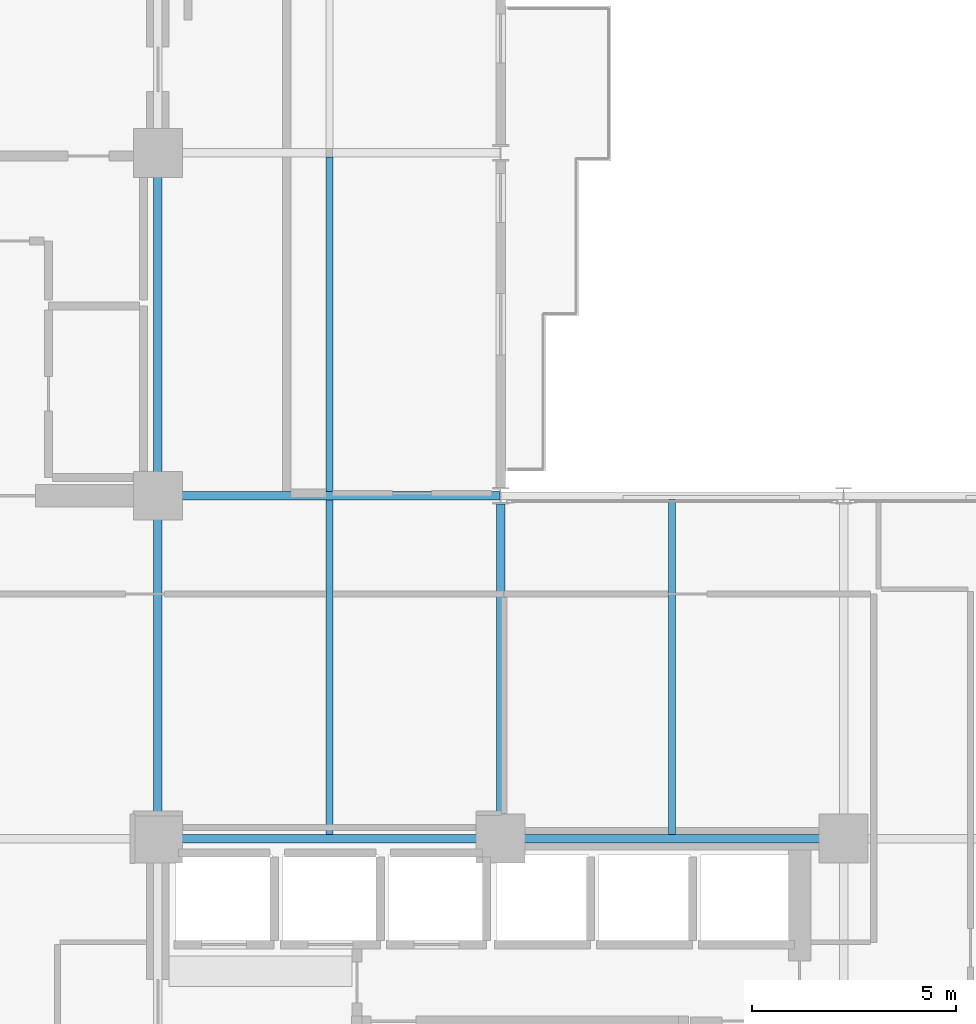
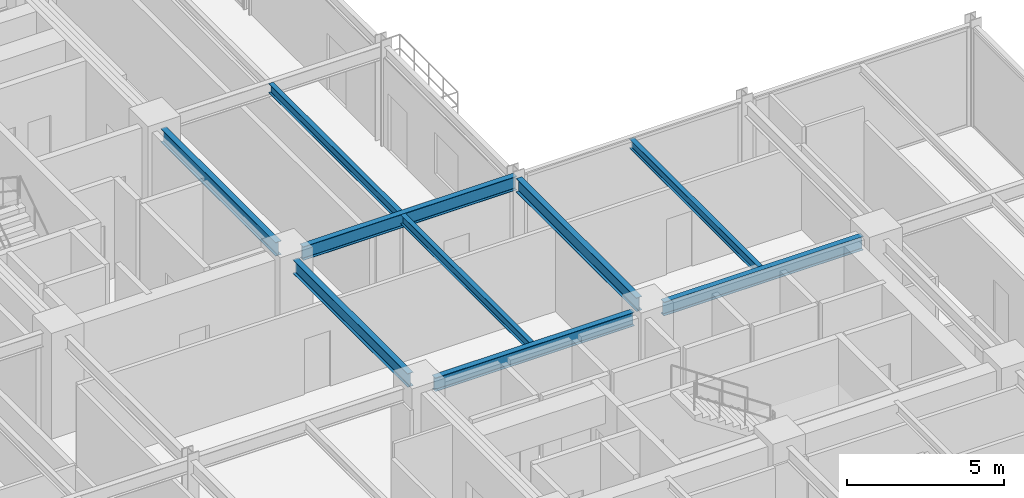
# One storey, part 11 of 29: 9 beams.
"""IFC4 building model written with IfcOpenShell, lengths in metres."""

import ifcopenshell
import ifcopenshell.guid

model = None  # the IFC model being written
_history = None  # IfcOwnerHistory: only IFC2X3 demands one
_inside = {}  # id of a spatial element -> (the spatial element, [elements in it])
_under = {}  # id of a project, library or spatial element -> (it, [spatial elements below it])
_declared = {}  # id of a project -> (the project, [libraries it declares])
_typed = {}  # id of a type object -> (the type object, [elements of that type])
_made_of = {}  # id of a material, layer set ... -> (it, [elements and type objects made of it])


def new_model(schema):
    """Start an empty IFC model of exactly this schema.

    Asked for "IFC4X3", IfcOpenShell would pick the latest addendum, in which some entities
    have other attributes; the version numbers below select the first issue.
    IFC2X3 requires an IfcOwnerHistory on every rooted entity: one is made here for all.
    """
    global model, _history
    if schema == "IFC4X3":
        model = ifcopenshell.file(schema_version=(4, 3, 0, 0))
    else:
        model = ifcopenshell.file(schema=schema)
    _inside.clear()
    _under.clear()
    _declared.clear()
    _typed.clear()
    _made_of.clear()
    _history = None
    if model.schema == "IFC2X3":
        org = make("IfcOrganization", Name="unknown")
        user = make(
            "IfcPersonAndOrganization",
            ThePerson=make("IfcPerson", FamilyName="unknown"),
            TheOrganization=org,
        )
        app = make(
            "IfcApplication",
            ApplicationDeveloper=org,
            Version="unknown",
            ApplicationFullName="unknown",
            ApplicationIdentifier="unknown",
        )
        _history = make(
            "IfcOwnerHistory",
            OwningUser=user,
            OwningApplication=app,
            ChangeAction="ADDED",
            CreationDate=0,
        )
    return model


def make(cls, **values):
    """One entity of the class cls with the attributes given. An attribute that is None is left unset."""
    return model.create_entity(
        cls, **{name: value for name, value in values.items() if value is not None}
    )


def rooted(cls, **values):
    """An entity with a GlobalId (a new one), such as an element, a storey or a relation."""
    return make(cls, GlobalId=ifcopenshell.guid.new(), OwnerHistory=_history, **values)


def si_unit(unit_type, name, prefix=None):
    """IfcSIUnit, for example si_unit("LENGTHUNIT", "METRE", prefix="MILLI")."""
    return make("IfcSIUnit", UnitType=unit_type, Prefix=prefix, Name=name)


def assignment(units):
    """IfcUnitAssignment: the units of a project."""
    return None if units is None else make("IfcUnitAssignment", Units=units)


def point(xyz):
    """IfcCartesianPoint."""
    return None if xyz is None else make("IfcCartesianPoint", Coordinates=xyz)


def direction(xyz):
    """IfcDirection."""
    return None if xyz is None else make("IfcDirection", DirectionRatios=xyz)


def frame(location, z_axis=None, x_axis=None):
    """IfcAxis2Placement3D, a coordinate frame: its origin and axes. An axis left out is left unset."""
    return make(
        "IfcAxis2Placement3D",
        Location=point(location),
        Axis=direction(z_axis),
        RefDirection=direction(x_axis),
    )


def frame_2d(location, x_axis=None):
    """IfcAxis2Placement2D, a coordinate frame in the plane: its origin and x axis."""
    return make(
        "IfcAxis2Placement2D", Location=point(location), RefDirection=direction(x_axis)
    )


def origin():
    """The frame at (0, 0, 0) with its axes left unset."""
    return frame((0.0, 0.0, 0.0))


def origin_2d():
    """The frame at (0, 0) in the plane with its x axis left unset."""
    return frame_2d((0.0, 0.0))


def place(relative_to, where):
    """IfcLocalPlacement: puts the frame where relative to a parent placement (None: the world)."""
    return make(
        "IfcLocalPlacement", PlacementRelTo=relative_to, RelativePlacement=where
    )


def context(
    kind, dimensions, precision=None, world=None, true_north=None, identifier=None
):
    """IfcGeometricRepresentationContext, for example the 3D "Model" context."""
    return make(
        "IfcGeometricRepresentationContext",
        ContextIdentifier=identifier,
        ContextType=kind,
        CoordinateSpaceDimension=dimensions,
        Precision=precision,
        WorldCoordinateSystem=world,
        TrueNorth=true_north,
    )


def subcontext(parent, identifier, kind, view, scale=None):
    """IfcGeometricRepresentationSubContext, for example "Body" below "Model"."""
    return make(
        "IfcGeometricRepresentationSubContext",
        ContextIdentifier=identifier,
        ContextType=kind,
        ParentContext=parent,
        TargetScale=scale,
        TargetView=view,
    )


def project(units=None, contexts=None):
    """IfcProject with its units and contexts."""
    return rooted(
        "IfcProject",
        Name="project",
        RepresentationContexts=contexts,
        UnitsInContext=assignment(units),
    )


def spatial(cls, under=None, at=None, **own):
    """A site, building, storey or space (cls), placed at a placement, below another one or the project."""
    s = rooted(cls, ObjectPlacement=at, **own)
    if under is not None:
        _under.setdefault(under.id(), (under, []))[1].append(s)
    return s


def profile(cls, at=None, kind="AREA", **sizes):
    """A parametric profile (cls). Its sizes go by their IFC names, for example OverallWidth=200.0."""
    return make(cls, ProfileType=kind, Position=at, **sizes)


def i_section(**sizes):
    """IfcIShapeProfileDef."""
    return profile("IfcIShapeProfileDef", **sizes)


def extrude(swept, where, along, depth):
    """IfcExtrudedAreaSolid: the profile swept, set in the frame where, extruded along a direction by depth."""
    return make(
        "IfcExtrudedAreaSolid",
        SweptArea=swept,
        Position=where,
        ExtrudedDirection=direction(along),
        Depth=depth,
    )


def shape(context_of_items, identifier, shape_type, items):
    """IfcShapeRepresentation: the items that make up one representation, for example the "Body"."""
    return make(
        "IfcShapeRepresentation",
        ContextOfItems=context_of_items,
        RepresentationIdentifier=identifier,
        RepresentationType=shape_type,
        Items=items,
    )


def material(Name=None, Category=None):
    """IfcMaterial."""
    return make("IfcMaterial", Name=Name, Category=Category)


def material_profile(
    of_material, cross_section, Name=None, Category=None, Priority=None
):
    """IfcMaterialProfile: a cross section and its material."""
    return make(
        "IfcMaterialProfile",
        Name=Name,
        Material=of_material,
        Profile=cross_section,
        Priority=Priority,
        Category=Category,
    )


def profile_set(profiles, Name=None, composite=None):
    """IfcMaterialProfileSet."""
    return make(
        "IfcMaterialProfileSet",
        Name=Name,
        MaterialProfiles=profiles,
        CompositeProfile=composite,
    )


def made_of(thing, what):
    """Note that an element or type object is made of a material, layer set ...; save() writes the relation."""
    if what is not None:
        _made_of.setdefault(what.id(), (what, []))[1].append(thing)
    return thing


def type_object(cls, material=None, **own):
    """A type object (cls), such as IfcWallType, which elements share."""
    return made_of(rooted(cls, **own), material)


def element(
    cls,
    number,
    at=None,
    inside=None,
    cuts=None,
    type_object=None,
    material=None,
    context=None,
    identifier="Body",
    shape_type=None,
    held_by="IfcProductDefinitionShape",
    body=None,
    shapes=None,
    **own,
):
    """One element of the class cls, such as IfcWall. Its Tag is "e" and its number.

    at: its placement. inside: the storey or other place that contains it. cuts: it is an
    opening in that element (IfcRelVoidsElement). A single representation is given by context,
    identifier, shape_type and body (its items); several are given by shapes. held_by: the class
    of the entity that holds the representations. save() writes the other relations.
    """
    e = rooted(cls, Tag="e%d" % number, ObjectPlacement=at, **own)
    if body is not None:
        shapes = [shape(context, identifier, shape_type, body)]
    if shapes is not None:
        e.Representation = make(held_by, Representations=shapes)
    if inside is not None:
        _inside.setdefault(inside.id(), (inside, []))[1].append(e)
    if cuts is not None:
        rooted(
            "IfcRelVoidsElement", RelatingBuildingElement=cuts, RelatedOpeningElement=e
        )
    if type_object is not None:
        _typed.setdefault(type_object.id(), (type_object, []))[1].append(e)
    return made_of(e, material)


def aggregate(whole, parts):
    """IfcRelAggregates: a whole, such as a stair, and the parts it consists of."""
    return rooted("IfcRelAggregates", RelatingObject=whole, RelatedObjects=parts)


def save(model, path):
    """Write the relations noted so far, then the file.

    IfcRelAggregates (storeys below a building ...), IfcRelContainedInSpatialStructure (elements
    in a storey), IfcRelDefinesByType, IfcRelAssociatesMaterial and IfcRelDeclares: one each for
    every whole, place, type object, material and project.
    """
    for whole, parts in _under.values():
        aggregate(whole, parts)
    for where, things in _inside.values():
        rooted(
            "IfcRelContainedInSpatialStructure",
            RelatedElements=things,
            RelatingStructure=where,
        )
    for kind, things in _typed.values():
        rooted("IfcRelDefinesByType", RelatedObjects=things, RelatingType=kind)
    for what, things in _made_of.values():
        rooted("IfcRelAssociatesMaterial", RelatedObjects=things, RelatingMaterial=what)
    for by, libraries in _declared.values():
        rooted("IfcRelDeclares", RelatingContext=by, RelatedDefinitions=libraries)
    model.write(path)


model = new_model("IFC4")

# Units and contexts
model_context = context("Model", 3, precision=1e-05, world=origin(), true_north=direction((0.0, 1.0)))
body_context = subcontext(model_context, "Body", "Model", "MODEL_VIEW")
ifc_project = project(units=[si_unit("LENGTHUNIT", "METRE"), si_unit("AREAUNIT", "SQUARE_METRE"), si_unit("VOLUMEUNIT", "CUBIC_METRE"), si_unit("PLANEANGLEUNIT", "RADIAN"), si_unit("MASSUNIT", "GRAM", prefix="KILO")], contexts=[model_context])

# Site, building, storey
site_placement = place(None, origin())
site = spatial("IfcSite", under=ifc_project, at=site_placement, CompositionType="ELEMENT")
building_placement = place(site_placement, origin())
building = spatial("IfcBuilding", under=site, at=building_placement, Name="Nerrivon Quay Data Exchange", CompositionType="ELEMENT")
storey_placement = place(building_placement, frame((0.0, 0.0, 121.300048828125)))
storey = spatial("IfcBuildingStorey", under=building, at=storey_placement, Name="L28", CompositionType="ELEMENT", Elevation=121.300048828125)

# Beams
ifc_material = material(Name="Steel Grade 350", Category="steel")
ifc_material_profile_1 = material_profile(ifc_material, i_section(OverallWidth=0.208984375, OverallDepth=0.532958984375, WebThickness=0.01025390625, FlangeThickness=0.015625, FilletRadius=0.013916015625, at=origin_2d()), Name="530UB92.4")
ifc_profile_set_1 = profile_set([ifc_material_profile_1], Name="Steel Grade 350")
beam_type_1 = type_object("IfcBeamType", Name="BM-G3-530UB92", PredefinedType="BEAM", material=ifc_profile_set_1)
beam_1_placement = place(storey_placement, frame((17.340087890625, 16.800048828125, 3.558349609375), z_axis=(1.0, 0.0, 0.0), x_axis=(0.0, 1.0, 0.0)))
element("IfcBeam", 1, at=beam_1_placement, inside=storey, type_object=beam_type_1, Name="L28 EW Girder Y=16.8 (16.8..25.2)", PredefinedType="BEAM", context=body_context, shape_type="SweptSolid", body=[
    extrude(i_section(OverallWidth=0.208984375, OverallDepth=0.532958984375, WebThickness=0.01025390625, FlangeThickness=0.015625, FilletRadius=0.013916015625, at=origin_2d()), origin(), (0.0, 0.0, 1.0), 7.31982421875),
])
beam_2_placement = place(storey_placement, frame((25.739990234375, 16.800048828125, 3.558349609375), z_axis=(1.0, 0.0, 0.0), x_axis=(0.0, 1.0, 0.0)))
element("IfcBeam", 2, at=beam_2_placement, inside=storey, type_object=beam_type_1, Name="L28 EW Girder Y=16.8 (25.2..33.6)", PredefinedType="BEAM", context=body_context, shape_type="SweptSolid", body=[
    extrude(i_section(OverallWidth=0.208984375, OverallDepth=0.532958984375, WebThickness=0.01025390625, FlangeThickness=0.015625, FilletRadius=0.013916015625, at=origin_2d()), origin(), (0.0, 0.0, 1.0), 7.320068359375),
])
beam_3_placement = place(storey_placement, frame((17.340087890625, 25.199951171875, 3.558349609375), z_axis=(1.0, 0.0, 0.0), x_axis=(0.0, 1.0, 0.0)))
element("IfcBeam", 3, at=beam_3_placement, inside=storey, type_object=beam_type_1, Name="L28 EW Girder Y=25.2 (16.8..25.2)", PredefinedType="BEAM", context=body_context, shape_type="SweptSolid", body=[
    extrude(i_section(OverallWidth=0.208984375, OverallDepth=0.532958984375, WebThickness=0.01025390625, FlangeThickness=0.015625, FilletRadius=0.013916015625, at=origin_2d()), origin(), (0.0, 0.0, 1.0), 7.847412109375),
])
ifc_material_profile_2 = material_profile(ifc_material, i_section(OverallWidth=0.208984375, OverallDepth=0.528076171875, WebThickness=0.009521484375, FlangeThickness=0.01318359375, FilletRadius=0.013916015625, at=origin_2d()), Name="530UB82.0")
ifc_profile_set_2 = profile_set([ifc_material_profile_2], Name="Steel Grade 350")
beam_type_2 = type_object("IfcBeamType", Name="BM-G4-530UB82", PredefinedType="BEAM", material=ifc_profile_set_2)
beam_4_placement = place(storey_placement, frame((16.800048828125, 17.340087890625, 3.56103515625), z_axis=(0.0, 1.0, 0.0), x_axis=(-1.0, 0.0, 0.0)))
element("IfcBeam", 4, at=beam_4_placement, inside=storey, type_object=beam_type_2, Name="L28 NS Girder X=16.8 (16.8..25.2)", PredefinedType="BEAM", context=body_context, shape_type="SweptSolid", body=[
    extrude(i_section(OverallWidth=0.208984375, OverallDepth=0.528076171875, WebThickness=0.009521484375, FlangeThickness=0.01318359375, FilletRadius=0.013916015625, at=origin_2d()), origin(), (0.0, 0.0, 1.0), 7.31982421875),
])
beam_5_placement = place(storey_placement, frame((16.800048828125, 25.739990234375, 3.56103515625), z_axis=(0.0, 1.0, 0.0), x_axis=(-1.0, 0.0, 0.0)))
element("IfcBeam", 5, at=beam_5_placement, inside=storey, type_object=beam_type_2, Name="L28 NS Girder X=16.8 (25.2..33.6)", PredefinedType="BEAM", context=body_context, shape_type="SweptSolid", body=[
    extrude(i_section(OverallWidth=0.208984375, OverallDepth=0.528076171875, WebThickness=0.009521484375, FlangeThickness=0.01318359375, FilletRadius=0.013916015625, at=origin_2d()), origin(), (0.0, 0.0, 1.0), 7.320068359375),
])
beam_6_placement = place(storey_placement, frame((25.199951171875, 17.340087890625, 3.56103515625), z_axis=(0.0, 1.0, 0.0), x_axis=(-1.0, 0.0, 0.0)))
element("IfcBeam", 6, at=beam_6_placement, inside=storey, type_object=beam_type_2, Name="L28 NS Girder X=25.2 (16.8..25.2)", PredefinedType="BEAM", context=body_context, shape_type="SweptSolid", body=[
    extrude(i_section(OverallWidth=0.208984375, OverallDepth=0.528076171875, WebThickness=0.009521484375, FlangeThickness=0.01318359375, FilletRadius=0.013916015625, at=origin_2d()), origin(), (0.0, 0.0, 1.0), 7.659912109375),
])
ifc_material_profile_3 = material_profile(ifc_material, i_section(OverallWidth=0.1708984375, OverallDepth=0.35595703125, WebThickness=0.00732421875, FlangeThickness=0.011474609375, FilletRadius=0.011474609375, at=origin_2d()), Name="360UB50.7")
ifc_profile_set_3 = profile_set([ifc_material_profile_3], Name="Steel Grade 350")
beam_type_3 = type_object("IfcBeamType", Name="BM-J4-360UB51", PredefinedType="JOIST", material=ifc_profile_set_3)
beam_7_placement = place(storey_placement, frame((21.0, 16.904541015625, 3.64697265625), z_axis=(0.0, 1.0, 0.0), x_axis=(-1.0, 0.0, 0.0)))
element("IfcBeam", 7, at=beam_7_placement, inside=storey, type_object=beam_type_3, Name="L28 Secondary Joist X=21.0 (16.8..25.2)", PredefinedType="JOIST", context=body_context, shape_type="SweptSolid", body=[
    extrude(i_section(OverallWidth=0.1708984375, OverallDepth=0.35595703125, WebThickness=0.00732421875, FlangeThickness=0.011474609375, FilletRadius=0.011474609375, at=origin_2d()), origin(), (0.0, 0.0, 1.0), 8.19091796875),
])
beam_8_placement = place(storey_placement, frame((21.0, 25.304443359375, 3.64697265625), z_axis=(0.0, 1.0, 0.0), x_axis=(-1.0, 0.0, 0.0)))
element("IfcBeam", 8, at=beam_8_placement, inside=storey, type_object=beam_type_3, Name="L28 Secondary Joist X=21.0 (25.2..33.6)", PredefinedType="JOIST", context=body_context, shape_type="SweptSolid", body=[
    extrude(i_section(OverallWidth=0.1708984375, OverallDepth=0.35595703125, WebThickness=0.00732421875, FlangeThickness=0.011474609375, FilletRadius=0.011474609375, at=origin_2d()), origin(), (0.0, 0.0, 1.0), 8.191162109375),
])
beam_9_placement = place(storey_placement, frame((29.39990234375, 16.904541015625, 3.64697265625), z_axis=(0.0, 1.0, 0.0), x_axis=(-1.0, 0.0, 0.0)))
element("IfcBeam", 9, at=beam_9_placement, inside=storey, type_object=beam_type_3, Name="L28 Secondary Joist X=29.4 (16.8..25.2)", PredefinedType="JOIST", context=body_context, shape_type="SweptSolid", body=[
    extrude(i_section(OverallWidth=0.1708984375, OverallDepth=0.35595703125, WebThickness=0.00732421875, FlangeThickness=0.011474609375, FilletRadius=0.011474609375, at=origin_2d()), origin(), (0.0, 0.0, 1.0), 8.20654296875),
])

save(model, "model.ifc")
